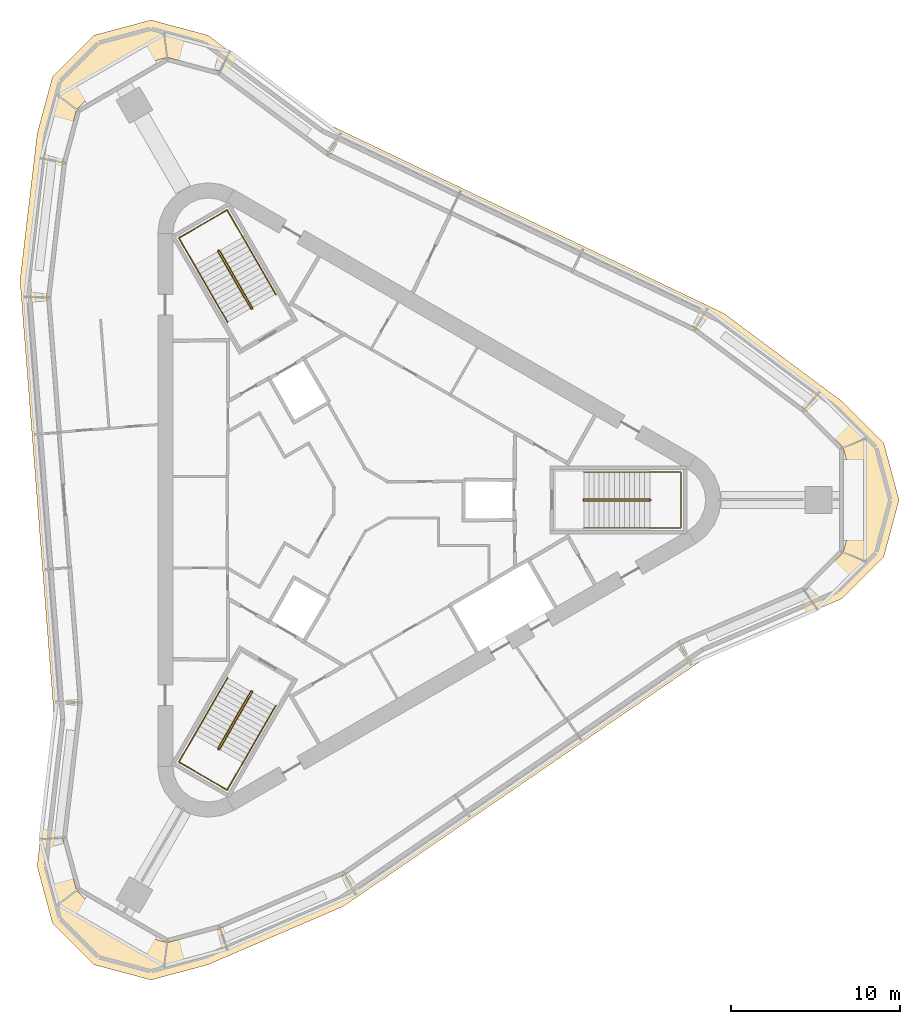
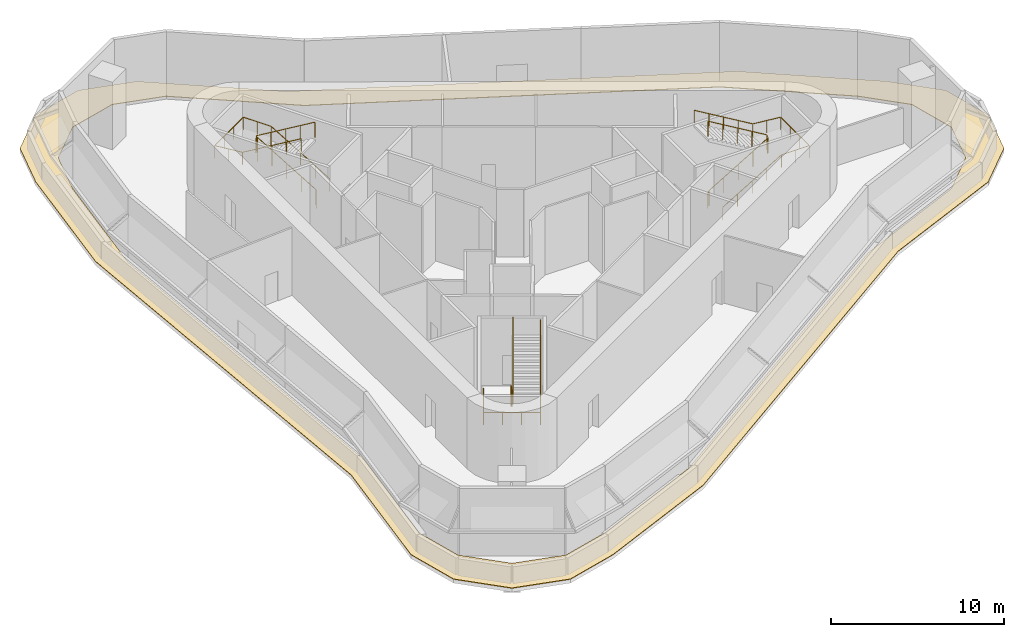
# One storey, part 8 of 8: 6 railings, 1 covering.
"""IFC4 building model written with IfcOpenShell, lengths in metres."""

from ifc_helpers import new_model, si_unit, direction, frame, origin, origin_2d, place, context, subcontext, project, spatial, polyline, circle, outline, extrude, material, layer, layer_set, type_object, element, save


model = new_model("IFC4")

# Units and contexts
model_context = context("Model", 3, precision=1e-05, world=origin(), true_north=direction((0.0, 1.0)))
body_context = subcontext(model_context, "Body", "Model", "MODEL_VIEW")
ifc_project = project(units=[si_unit("LENGTHUNIT", "METRE"), si_unit("AREAUNIT", "SQUARE_METRE"), si_unit("VOLUMEUNIT", "CUBIC_METRE"), si_unit("PLANEANGLEUNIT", "RADIAN"), si_unit("MASSUNIT", "GRAM", prefix="KILO")], contexts=[model_context])

# Site, building, storey
site_placement = place(None, origin())
site = spatial("IfcSite", under=ifc_project, at=site_placement, CompositionType="ELEMENT")
building_placement = place(site_placement, origin())
building = spatial("IfcBuilding", under=site, at=building_placement, Name="Tanit Gate Tower", CompositionType="ELEMENT")
storey_placement = place(building_placement, frame((0.0, 0.0, 415.300048828125)))
storey = spatial("IfcBuildingStorey", under=building, at=storey_placement, Name="L94", CompositionType="ELEMENT", Elevation=415.300048828125)

# Railings
ifc_material_1 = material(Name="Stainless steel balustrade", Category="steel")
railing_type_1 = type_object("IfcRailingType", Name="INT-STAIR-GUARD", PredefinedType="GUARDRAIL", material=ifc_material_1)
railing_1_placement = place(storey_placement, frame((13.044921875, 0.0048828125, 0.0)))
element("IfcRailing", 1, at=railing_1_placement, inside=storey, type_object=railing_type_1, Name="L94 S1 stair guard 1", PredefinedType="GUARDRAIL", context=body_context, shape_type="SweptSolid", body=[
    extrude(circle(Radius=0.02392578125, at=origin_2d()), frame((0.0, 0.0, 1.076171875), z_axis=(0.0, -1.0, 0.0), x_axis=(1.0, 0.0, 0.0)), (0.0, 0.0, 1.0), 0.009765625),
    extrude(circle(Radius=0.02392578125, at=origin_2d()), frame((0.0, -0.009765625, 1.076171875), z_axis=(0.260684529273, -0.260684529273, 0.929562882432), x_axis=(0.707106781187, 0.707106781187, 0.0)), (0.0, 0.0, 1.0), 0.19189453125),
    extrude(circle(Radius=0.02392578125, at=origin_2d()), frame((0.050048828125, -0.059814453125, 1.25439453125), z_axis=(0.859291195736, 0.0, 0.511486696729), x_axis=(0.0, 1.0, 0.0)), (0.0, 0.0, 1.0), 4.538818359375),
    extrude(circle(Radius=0.02392578125, at=origin_2d()), frame((3.9501953125, -0.059814453125, 3.576171875), z_axis=(0.705375805398, 0.708833529934, 0.0), x_axis=(-0.708833529934, 0.705375805398, 0.0)), (0.0, 0.0, 1.0), 0.070556640625),
    extrude(circle(Radius=0.02392578125, at=origin_2d()), frame((4.0, -0.009765625, 3.576171875), z_axis=(0.0, 1.0, 0.0), x_axis=(-1.0, 0.0, 0.0)), (0.0, 0.0, 1.0), 0.009765625),
    extrude(circle(Radius=0.02392578125, at=origin_2d()), frame((4.0, 0.0, 3.576171875), z_axis=(-0.25949872427, 0.26077077684, 0.929870428634), x_axis=(-0.708833529934, -0.705375805398, 0.0)), (0.0, 0.0, 1.0), 0.19189453125),
    extrude(circle(Radius=0.02392578125, at=origin_2d()), frame((3.9501953125, 0.050048828125, 3.75439453125), z_axis=(-0.859291195736, 0.0, 0.511486696729), x_axis=(0.0, -1.0, 0.0)), (0.0, 0.0, 1.0), 4.538818359375),
    extrude(circle(Radius=0.02099609375, at=origin_2d()), origin(), (0.0, 0.0, 1.0), 1.052001953125),
    extrude(circle(Radius=0.02099609375, at=origin_2d()), frame((0.0, -0.009765625, 0.0)), (0.0, 0.0, 1.0), 1.052001953125),
    extrude(circle(Radius=0.02099609375, at=origin_2d()), frame((0.050048828125, -0.059814453125, 0.178466796875)), (0.0, 0.0, 1.0), 1.052001953125),
    extrude(circle(Radius=0.02099609375, at=origin_2d()), frame((1.025146484375, -0.059814453125, 0.7587890625)), (0.0, 0.0, 1.0), 1.052001953125),
    extrude(circle(Radius=0.02099609375, at=origin_2d()), frame((2.0, -0.059814453125, 1.33935546875)), (0.0, 0.0, 1.0), 1.052001953125),
    extrude(circle(Radius=0.02099609375, at=origin_2d()), frame((2.97509765625, -0.059814453125, 1.919677734375)), (0.0, 0.0, 1.0), 1.052001953125),
    extrude(circle(Radius=0.02099609375, at=origin_2d()), frame((3.9501953125, -0.059814453125, 2.5)), (0.0, 0.0, 1.0), 1.052001953125),
    extrude(circle(Radius=0.02099609375, at=origin_2d()), frame((4.0, -0.009765625, 2.5)), (0.0, 0.0, 1.0), 1.052001953125),
    extrude(circle(Radius=0.02099609375, at=origin_2d()), frame((4.0, 0.0, 2.5)), (0.0, 0.0, 1.0), 1.052001953125),
    extrude(circle(Radius=0.02099609375, at=origin_2d()), frame((3.9501953125, 0.050048828125, 2.678466796875)), (0.0, 0.0, 1.0), 1.052001953125),
    extrude(circle(Radius=0.02099609375, at=origin_2d()), frame((2.97509765625, 0.050048828125, 3.2587890625)), (0.0, 0.0, 1.0), 1.052001953125),
    extrude(circle(Radius=0.02099609375, at=origin_2d()), frame((2.0, 0.050048828125, 3.83935546875)), (0.0, 0.0, 1.0), 1.052001953125),
    extrude(circle(Radius=0.02099609375, at=origin_2d()), frame((1.025146484375, 0.050048828125, 4.419677734375)), (0.0, 0.0, 1.0), 1.052001953125),
    extrude(circle(Radius=0.02099609375, at=origin_2d()), frame((0.050048828125, 0.050048828125, 5.0)), (0.0, 0.0, 1.0), 1.052001953125),
])
railing_2_placement = place(storey_placement, frame((-6.527099609375, 11.29345703125, 0.0)))
element("IfcRailing", 2, at=railing_2_placement, inside=storey, type_object=railing_type_1, Name="L94 S2 stair guard 1", PredefinedType="GUARDRAIL", context=body_context, shape_type="SweptSolid", body=[
    extrude(circle(Radius=0.02392578125, at=origin_2d()), frame((0.0, 0.0, 1.076171875), z_axis=(0.868243142124, 0.496138938357, 0.0), x_axis=(-0.496138938357, 0.868243142124, 0.0)), (0.0, 0.0, 1.0), 0.01171875),
    extrude(circle(Radius=0.02392578125, at=origin_2d()), frame((0.01025390625, 0.005859375, 1.076171875), z_axis=(0.095374316588, 0.356064115262, 0.929581672344), x_axis=(-0.965948051503, 0.258736085224, 0.0)), (0.0, 0.0, 1.0), 0.19189453125),
    extrude(circle(Radius=0.02392578125, at=origin_2d()), frame((0.028564453125, 0.07421875, 1.25439453125), z_axis=(-0.429636665928, 0.744158462057, 0.511508082673), x_axis=(-0.866027128446, -0.499997012787, 0.0)), (0.0, 0.0, 1.0), 4.53857421875),
    extrude(circle(Radius=0.02392578125, at=origin_2d()), frame((-1.92138671875, 3.45166015625, 3.576171875), z_axis=(-0.965948051503, 0.258736085224, 0.0), x_axis=(-0.258736085224, -0.965948051503, 0.0)), (0.0, 0.0, 1.0), 0.07080078125),
    extrude(circle(Radius=0.02392578125, at=origin_2d()), frame((-1.98974609375, 3.469970703125, 3.576171875), z_axis=(-0.868243142124, -0.496138938357, 0.0), x_axis=(0.496138938357, -0.868243142124, 0.0)), (0.0, 0.0, 1.0), 0.01171875),
    extrude(circle(Radius=0.02392578125, at=origin_2d()), frame((-2.0, 3.464111328125, 3.576171875), z_axis=(-0.095374316588, -0.356064115262, 0.929581672344), x_axis=(0.965948051503, -0.258736085224, 0.0)), (0.0, 0.0, 1.0), 0.19189453125),
    extrude(circle(Radius=0.02392578125, at=origin_2d()), frame((-2.018310546875, 3.395751953125, 3.75439453125), z_axis=(0.429636665928, -0.744158462057, 0.511508082673), x_axis=(0.866027128446, 0.499997012787, 0.0)), (0.0, 0.0, 1.0), 4.53857421875),
    extrude(circle(Radius=0.02099609375, at=origin_2d()), origin(), (0.0, 0.0, 1.0), 1.052001953125),
    extrude(circle(Radius=0.02099609375, at=origin_2d()), frame((0.01025390625, 0.005859375, 0.0)), (0.0, 0.0, 1.0), 1.052001953125),
    extrude(circle(Radius=0.02099609375, at=origin_2d()), frame((0.028564453125, 0.07421875, 0.178466796875)), (0.0, 0.0, 1.0), 1.052001953125),
    extrude(circle(Radius=0.02099609375, at=origin_2d()), frame((-0.458984375, 0.91845703125, 0.7587890625)), (0.0, 0.0, 1.0), 1.052001953125),
    extrude(circle(Radius=0.02099609375, at=origin_2d()), frame((-0.9462890625, 1.762939453125, 1.33935546875)), (0.0, 0.0, 1.0), 1.052001953125),
    extrude(circle(Radius=0.02099609375, at=origin_2d()), frame((-1.433837890625, 2.607421875, 1.919677734375)), (0.0, 0.0, 1.0), 1.052001953125),
    extrude(circle(Radius=0.02099609375, at=origin_2d()), frame((-1.92138671875, 3.45166015625, 2.5)), (0.0, 0.0, 1.0), 1.052001953125),
    extrude(circle(Radius=0.02099609375, at=origin_2d()), frame((-1.98974609375, 3.469970703125, 2.5)), (0.0, 0.0, 1.0), 1.052001953125),
    extrude(circle(Radius=0.02099609375, at=origin_2d()), frame((-2.0, 3.464111328125, 2.5)), (0.0, 0.0, 1.0), 1.052001953125),
    extrude(circle(Radius=0.02099609375, at=origin_2d()), frame((-2.018310546875, 3.395751953125, 2.678466796875)), (0.0, 0.0, 1.0), 1.052001953125),
    extrude(circle(Radius=0.02099609375, at=origin_2d()), frame((-1.53076171875, 2.55126953125, 3.2587890625)), (0.0, 0.0, 1.0), 1.052001953125),
    extrude(circle(Radius=0.02099609375, at=origin_2d()), frame((-1.04345703125, 1.70703125, 3.83935546875)), (0.0, 0.0, 1.0), 1.052001953125),
    extrude(circle(Radius=0.02099609375, at=origin_2d()), frame((-0.555908203125, 0.86279296875, 4.419677734375)), (0.0, 0.0, 1.0), 1.052001953125),
    extrude(circle(Radius=0.02099609375, at=origin_2d()), frame((-0.068359375, 0.018310546875, 5.0)), (0.0, 0.0, 1.0), 1.052001953125),
])
railing_3_placement = place(storey_placement, frame((-6.51806640625, -11.2998046875, 0.0)))
element("IfcRailing", 3, at=railing_3_placement, inside=storey, type_object=railing_type_1, Name="L94 S3 stair guard 1", PredefinedType="GUARDRAIL", context=body_context, shape_type="SweptSolid", body=[
    extrude(circle(Radius=0.02392578125, at=origin_2d()), frame((0.0, 0.0, 1.076171875), z_axis=(-0.874157276122, 0.485642931179, 0.0), x_axis=(-0.485642931179, -0.874157276122, 0.0)), (0.0, 0.0, 1.0), 0.010009765625),
    extrude(circle(Radius=0.02392578125, at=origin_2d()), frame((-0.0087890625, 0.0048828125, 1.076171875), z_axis=(-0.356107019809, -0.094113998092, 0.929693683858), x_axis=(0.255512919477, -0.966805641264, 0.0)), (0.0, 0.0, 1.0), 0.19189453125),
    extrude(circle(Radius=0.02392578125, at=origin_2d()), frame((-0.0771484375, -0.01318359375, 1.25439453125), z_axis=(-0.429619468083, -0.74418246412, 0.511487607612), x_axis=(0.866042777325, -0.499969906938, 0.0)), (0.0, 0.0, 1.0), 4.538818359375),
    extrude(circle(Radius=0.02392578125, at=origin_2d()), frame((-2.027099609375, -3.390869140625, 3.576171875), z_axis=(0.259601060869, -0.965715946433, 0.0), x_axis=(0.965715946433, 0.259601060869, 0.0)), (0.0, 0.0, 1.0), 0.070556640625),
    extrude(circle(Radius=0.02392578125, at=origin_2d()), frame((-2.0087890625, -3.458984375, 3.576171875), z_axis=(0.863778900898, -0.503871025524, 0.0), x_axis=(0.503871025524, 0.863778900898, 0.0)), (0.0, 0.0, 1.0), 0.01025390625),
    extrude(circle(Radius=0.02392578125, at=origin_2d()), frame((-2.0, -3.464111328125, 3.576171875), z_axis=(0.354952926692, 0.095417453412, 0.930002112587), x_axis=(-0.259601060869, 0.965715946433, 0.0)), (0.0, 0.0, 1.0), 0.19189453125),
    extrude(circle(Radius=0.02392578125, at=origin_2d()), frame((-1.931884765625, -3.44580078125, 3.75439453125), z_axis=(0.429680527064, 0.74414126332, 0.511496260873), x_axis=(-0.866000020948, 0.500043961785, 0.0)), (0.0, 0.0, 1.0), 4.538818359375),
    extrude(circle(Radius=0.02099609375, at=origin_2d()), origin(), (0.0, 0.0, 1.0), 1.052001953125),
    extrude(circle(Radius=0.02099609375, at=origin_2d()), frame((-0.0087890625, 0.0048828125, 0.0)), (0.0, 0.0, 1.0), 1.052001953125),
    extrude(circle(Radius=0.02099609375, at=origin_2d()), frame((-0.0771484375, -0.01318359375, 0.178466796875)), (0.0, 0.0, 1.0), 1.052001953125),
    extrude(circle(Radius=0.02099609375, at=origin_2d()), frame((-0.564697265625, -0.857666015625, 0.7587890625)), (0.0, 0.0, 1.0), 1.052001953125),
    extrude(circle(Radius=0.02099609375, at=origin_2d()), frame((-1.05224609375, -1.7021484375, 1.33935546875)), (0.0, 0.0, 1.0), 1.052001953125),
    extrude(circle(Radius=0.02099609375, at=origin_2d()), frame((-1.53955078125, -2.54638671875, 1.919677734375)), (0.0, 0.0, 1.0), 1.052001953125),
    extrude(circle(Radius=0.02099609375, at=origin_2d()), frame((-2.027099609375, -3.390869140625, 2.5)), (0.0, 0.0, 1.0), 1.052001953125),
    extrude(circle(Radius=0.02099609375, at=origin_2d()), frame((-2.0087890625, -3.458984375, 2.5)), (0.0, 0.0, 1.0), 1.052001953125),
    extrude(circle(Radius=0.02099609375, at=origin_2d()), frame((-2.0, -3.464111328125, 2.5)), (0.0, 0.0, 1.0), 1.052001953125),
    extrude(circle(Radius=0.02099609375, at=origin_2d()), frame((-1.931884765625, -3.44580078125, 2.678466796875)), (0.0, 0.0, 1.0), 1.052001953125),
    extrude(circle(Radius=0.02099609375, at=origin_2d()), frame((-1.4443359375, -2.6015625, 3.2587890625)), (0.0, 0.0, 1.0), 1.052001953125),
    extrude(circle(Radius=0.02099609375, at=origin_2d()), frame((-0.956787109375, -1.757080078125, 3.83935546875)), (0.0, 0.0, 1.0), 1.052001953125),
    extrude(circle(Radius=0.02099609375, at=origin_2d()), frame((-0.46923828125, -0.91259765625, 4.419677734375)), (0.0, 0.0, 1.0), 1.052001953125),
    extrude(circle(Radius=0.02099609375, at=origin_2d()), frame((0.018310546875, -0.068359375, 5.0)), (0.0, 0.0, 1.0), 1.052001953125),
])
ifc_material_2 = material(Name="Stainless steel handrail", Category="steel")
railing_type_2 = type_object("IfcRailingType", Name="INT-STAIR-HANDRAIL", PredefinedType="HANDRAIL", material=ifc_material_2)
railing_4_placement = place(storey_placement, frame((13.094970703125, -1.64990234375, 0.178466796875)))
element("IfcRailing", 4, at=railing_4_placement, inside=storey, type_object=railing_type_2, Name="L94 S1 stair handrail 1", PredefinedType="HANDRAIL", context=body_context, shape_type="SweptSolid", body=[
    extrude(circle(Radius=0.02392578125, at=origin_2d()), frame((0.0, 0.0, 0.8759765625), z_axis=(0.859291195736, 0.0, 0.511486696729), x_axis=(0.0, 1.0, 0.0)), (0.0, 0.0, 1.0), 4.538818359375),
    extrude(circle(Radius=0.02392578125, at=origin_2d()), frame((3.900146484375, 0.0, 3.197265625), z_axis=(1.0, 0.0, 0.0), x_axis=(0.0, 1.0, 0.0)), (0.0, 0.0, 1.0), 1.85498046875),
    extrude(circle(Radius=0.02392578125, at=origin_2d()), frame((5.755126953125, 0.0, 3.197265625), z_axis=(0.0, 1.0, 0.0), x_axis=(-1.0, 0.0, 0.0)), (0.0, 0.0, 1.0), 3.2998046875),
    extrude(circle(Radius=0.02392578125, at=origin_2d()), frame((5.755126953125, 3.2998046875, 3.197265625), z_axis=(-0.995403746914, 0.0, 0.09576732548), x_axis=(0.0, -1.0, 0.0)), (0.0, 0.0, 1.0), 1.863525390625),
    extrude(circle(Radius=0.02392578125, at=origin_2d()), frame((3.900146484375, 3.2998046875, 3.3759765625), z_axis=(-0.859291195736, 0.0, 0.511486696729), x_axis=(0.0, -1.0, 0.0)), (0.0, 0.0, 1.0), 4.538818359375),
    extrude(circle(Radius=0.02099609375, at=origin_2d()), origin(), (0.0, 0.0, 1.0), 0.851806640625),
    extrude(circle(Radius=0.02099609375, at=origin_2d()), frame((0.97509765625, 0.0, 0.580322265625)), (0.0, 0.0, 1.0), 0.851806640625),
    extrude(circle(Radius=0.02099609375, at=origin_2d()), frame((1.9501953125, 0.0, 1.16064453125)), (0.0, 0.0, 1.0), 0.851806640625),
    extrude(circle(Radius=0.02099609375, at=origin_2d()), frame((2.925048828125, 0.0, 1.7412109375)), (0.0, 0.0, 1.0), 0.851806640625),
    extrude(circle(Radius=0.02099609375, at=origin_2d()), frame((3.900146484375, 0.0, 2.321533203125)), (0.0, 0.0, 1.0), 0.851806640625),
    extrude(circle(Radius=0.02099609375, at=origin_2d()), frame((4.82763671875, 0.0, 2.321533203125)), (0.0, 0.0, 1.0), 0.851806640625),
    extrude(circle(Radius=0.02099609375, at=origin_2d()), frame((5.755126953125, 0.0, 2.321533203125)), (0.0, 0.0, 1.0), 0.851806640625),
    extrude(circle(Radius=0.02099609375, at=origin_2d()), frame((5.755126953125, 1.099853515625, 2.321533203125)), (0.0, 0.0, 1.0), 0.851806640625),
    extrude(circle(Radius=0.02099609375, at=origin_2d()), frame((5.755126953125, 2.199951171875, 2.321533203125)), (0.0, 0.0, 1.0), 0.851806640625),
    extrude(circle(Radius=0.02099609375, at=origin_2d()), frame((5.755126953125, 3.2998046875, 2.321533203125)), (0.0, 0.0, 1.0), 0.851806640625),
    extrude(circle(Radius=0.02099609375, at=origin_2d()), frame((4.82763671875, 3.2998046875, 2.41064453125)), (0.0, 0.0, 1.0), 0.851806640625),
    extrude(circle(Radius=0.02099609375, at=origin_2d()), frame((3.900146484375, 3.2998046875, 2.5)), (0.0, 0.0, 1.0), 0.851806640625),
    extrude(circle(Radius=0.02099609375, at=origin_2d()), frame((2.925048828125, 3.2998046875, 3.080322265625)), (0.0, 0.0, 1.0), 0.851806640625),
    extrude(circle(Radius=0.02099609375, at=origin_2d()), frame((1.9501953125, 3.2998046875, 3.66064453125)), (0.0, 0.0, 1.0), 0.851806640625),
    extrude(circle(Radius=0.02099609375, at=origin_2d()), frame((0.97509765625, 3.2998046875, 4.2412109375)), (0.0, 0.0, 1.0), 0.851806640625),
    extrude(circle(Radius=0.02099609375, at=origin_2d()), frame((0.0, 3.2998046875, 4.821533203125)), (0.0, 0.0, 1.0), 0.851806640625),
])
railing_5_placement = place(storey_placement, frame((-5.1181640625, 12.164794921875, 0.178466796875)))
element("IfcRailing", 5, at=railing_5_placement, inside=storey, type_object=railing_type_2, Name="L94 S2 stair handrail 1", PredefinedType="HANDRAIL", context=body_context, shape_type="SweptSolid", body=[
    extrude(circle(Radius=0.02392578125, at=origin_2d()), frame((0.0, 0.0, 0.8759765625), z_axis=(-0.429636665928, 0.744158462057, 0.511508082673), x_axis=(-0.866027128446, -0.499997012787, 0.0)), (0.0, 0.0, 1.0), 4.53857421875),
    extrude(circle(Radius=0.02392578125, at=origin_2d()), frame((-1.949951171875, 3.37744140625, 3.197265625), z_axis=(-0.499972951856, 0.866041019474, 0.0), x_axis=(-0.866041019474, -0.499972951856, 0.0)), (0.0, 0.0, 1.0), 1.85595703125),
    extrude(circle(Radius=0.02392578125, at=origin_2d()), frame((-2.8779296875, 4.98486328125, 3.197265625), z_axis=(-0.866008176907, -0.50002983664, 0.0), x_axis=(0.50002983664, -0.866008176907, 0.0)), (0.0, 0.0, 1.0), 3.300048828125),
    extrude(circle(Radius=0.02392578125, at=origin_2d()), frame((-5.73583984375, 3.334716796875, 3.197265625), z_axis=(0.497733776972, -0.862031426942, 0.095723070499), x_axis=(0.866008133109, 0.500029912494, 0.0)), (0.0, 0.0, 1.0), 1.864501953125),
    extrude(circle(Radius=0.02392578125, at=origin_2d()), frame((-4.807861328125, 1.7275390625, 3.3759765625), z_axis=(0.429663328258, -0.744165266205, 0.511475787231), x_axis=(0.866015672276, 0.500016855088, 0.0)), (0.0, 0.0, 1.0), 4.538818359375),
    extrude(circle(Radius=0.02099609375, at=origin_2d()), origin(), (0.0, 0.0, 1.0), 0.851806640625),
    extrude(circle(Radius=0.02099609375, at=origin_2d()), frame((-0.487548828125, 0.84423828125, 0.580322265625)), (0.0, 0.0, 1.0), 0.851806640625),
    extrude(circle(Radius=0.02099609375, at=origin_2d()), frame((-0.97509765625, 1.688720703125, 1.16064453125)), (0.0, 0.0, 1.0), 0.851806640625),
    extrude(circle(Radius=0.02099609375, at=origin_2d()), frame((-1.46240234375, 2.533203125, 1.7412109375)), (0.0, 0.0, 1.0), 0.851806640625),
    extrude(circle(Radius=0.02099609375, at=origin_2d()), frame((-1.949951171875, 3.37744140625, 2.321533203125)), (0.0, 0.0, 1.0), 0.851806640625),
    extrude(circle(Radius=0.02099609375, at=origin_2d()), frame((-2.4140625, 4.18115234375, 2.321533203125)), (0.0, 0.0, 1.0), 0.851806640625),
    extrude(circle(Radius=0.02099609375, at=origin_2d()), frame((-2.8779296875, 4.98486328125, 2.321533203125)), (0.0, 0.0, 1.0), 0.851806640625),
    extrude(circle(Radius=0.02099609375, at=origin_2d()), frame((-3.83056640625, 4.434814453125, 2.321533203125)), (0.0, 0.0, 1.0), 0.851806640625),
    extrude(circle(Radius=0.02099609375, at=origin_2d()), frame((-4.783203125, 3.884765625, 2.321533203125)), (0.0, 0.0, 1.0), 0.851806640625),
    extrude(circle(Radius=0.02099609375, at=origin_2d()), frame((-5.73583984375, 3.334716796875, 2.321533203125)), (0.0, 0.0, 1.0), 0.851806640625),
    extrude(circle(Radius=0.02099609375, at=origin_2d()), frame((-5.27197265625, 2.53125, 2.41064453125)), (0.0, 0.0, 1.0), 0.851806640625),
    extrude(circle(Radius=0.02099609375, at=origin_2d()), frame((-4.807861328125, 1.7275390625, 2.5)), (0.0, 0.0, 1.0), 0.851806640625),
    extrude(circle(Radius=0.02099609375, at=origin_2d()), frame((-4.3203125, 0.883056640625, 3.080322265625)), (0.0, 0.0, 1.0), 0.851806640625),
    extrude(circle(Radius=0.02099609375, at=origin_2d()), frame((-3.832763671875, 0.03857421875, 3.66064453125)), (0.0, 0.0, 1.0), 0.851806640625),
    extrude(circle(Radius=0.02099609375, at=origin_2d()), frame((-3.34521484375, -0.8056640625, 4.2412109375)), (0.0, 0.0, 1.0), 0.851806640625),
    extrude(circle(Radius=0.02099609375, at=origin_2d()), frame((-2.857666015625, -1.650146484375, 4.821533203125)), (0.0, 0.0, 1.0), 0.851806640625),
])
railing_6_placement = place(storey_placement, frame((-7.9765625, -10.515625, 0.178466796875)))
element("IfcRailing", 6, at=railing_6_placement, inside=storey, type_object=railing_type_2, Name="L94 S3 stair handrail 1", PredefinedType="HANDRAIL", context=body_context, shape_type="SweptSolid", body=[
    extrude(circle(Radius=0.02392578125, at=origin_2d()), frame((0.0, 0.0, 0.8759765625), z_axis=(-0.429636665928, -0.744158462057, 0.511508082673), x_axis=(0.866027128446, -0.499997012787, 0.0)), (0.0, 0.0, 1.0), 4.53857421875),
    extrude(circle(Radius=0.02392578125, at=origin_2d()), frame((-1.949951171875, -3.37744140625, 3.197265625), z_axis=(-0.500003477455, -0.866023396066, 0.0), x_axis=(0.866023396066, -0.500003477455, 0.0)), (0.0, 0.0, 1.0), 1.85498046875),
    extrude(circle(Radius=0.02392578125, at=origin_2d()), frame((-2.87744140625, -4.98388671875, 3.197265625), z_axis=(0.866008176907, -0.50002983664, 0.0), x_axis=(0.50002983664, 0.866008176907, 0.0)), (0.0, 0.0, 1.0), 3.300048828125),
    extrude(circle(Radius=0.02392578125, at=origin_2d()), frame((-0.01953125, -6.634033203125, 3.197265625), z_axis=(0.497705303182, 0.862042878372, 0.095767985424), x_axis=(-0.866023396066, 0.500003477455, 0.0)), (0.0, 0.0, 1.0), 1.863525390625),
    extrude(circle(Radius=0.02392578125, at=origin_2d()), frame((0.907958984375, -5.027587890625, 3.3759765625), z_axis=(0.429619468083, 0.74418246412, 0.511487607612), x_axis=(-0.866042777325, 0.499969906938, 0.0)), (0.0, 0.0, 1.0), 4.538818359375),
    extrude(circle(Radius=0.02099609375, at=origin_2d()), origin(), (0.0, 0.0, 1.0), 0.851806640625),
    extrude(circle(Radius=0.02099609375, at=origin_2d()), frame((-0.487548828125, -0.84423828125, 0.580322265625)), (0.0, 0.0, 1.0), 0.851806640625),
    extrude(circle(Radius=0.02099609375, at=origin_2d()), frame((-0.97509765625, -1.688720703125, 1.16064453125)), (0.0, 0.0, 1.0), 0.851806640625),
    extrude(circle(Radius=0.02099609375, at=origin_2d()), frame((-1.46240234375, -2.533203125, 1.7412109375)), (0.0, 0.0, 1.0), 0.851806640625),
    extrude(circle(Radius=0.02099609375, at=origin_2d()), frame((-1.949951171875, -3.37744140625, 2.321533203125)), (0.0, 0.0, 1.0), 0.851806640625),
    extrude(circle(Radius=0.02099609375, at=origin_2d()), frame((-2.41357421875, -4.1806640625, 2.321533203125)), (0.0, 0.0, 1.0), 0.851806640625),
    extrude(circle(Radius=0.02099609375, at=origin_2d()), frame((-2.87744140625, -4.98388671875, 2.321533203125)), (0.0, 0.0, 1.0), 0.851806640625),
    extrude(circle(Radius=0.02099609375, at=origin_2d()), frame((-1.9248046875, -5.533935546875, 2.321533203125)), (0.0, 0.0, 1.0), 0.851806640625),
    extrude(circle(Radius=0.02099609375, at=origin_2d()), frame((-0.97216796875, -6.083984375, 2.321533203125)), (0.0, 0.0, 1.0), 0.851806640625),
    extrude(circle(Radius=0.02099609375, at=origin_2d()), frame((-0.01953125, -6.634033203125, 2.321533203125)), (0.0, 0.0, 1.0), 0.851806640625),
    extrude(circle(Radius=0.02099609375, at=origin_2d()), frame((0.4443359375, -5.830810546875, 2.41064453125)), (0.0, 0.0, 1.0), 0.851806640625),
    extrude(circle(Radius=0.02099609375, at=origin_2d()), frame((0.907958984375, -5.027587890625, 2.5)), (0.0, 0.0, 1.0), 0.851806640625),
    extrude(circle(Radius=0.02099609375, at=origin_2d()), frame((1.3955078125, -4.18310546875, 3.080322265625)), (0.0, 0.0, 1.0), 0.851806640625),
    extrude(circle(Radius=0.02099609375, at=origin_2d()), frame((1.8828125, -3.3388671875, 3.66064453125)), (0.0, 0.0, 1.0), 0.851806640625),
    extrude(circle(Radius=0.02099609375, at=origin_2d()), frame((2.370361328125, -2.494384765625, 4.2412109375)), (0.0, 0.0, 1.0), 0.851806640625),
    extrude(circle(Radius=0.02099609375, at=origin_2d()), frame((2.85791015625, -1.64990234375, 4.821533203125)), (0.0, 0.0, 1.0), 0.851806640625),
])

# Covering
ifc_material_3 = material(Name="Stone paving", Category="masonry")
ifc_layer = layer(ifc_material_3, 0.0400390625)
ifc_layer_set = layer_set([ifc_layer], Name="Terrace deck paving 40")
covering_type = type_object("IfcCoveringType", Name="Terrace deck paving 40", PredefinedType="FLOORING", material=ifc_layer_set)
covering_placement = place(storey_placement, origin())
element("IfcCovering", 7, at=covering_placement, inside=storey, type_object=covering_type, Name="Terrace deck paving L94", PredefinedType="FLOORING", context=body_context, shape_type="SweptSolid", body=[
    extrude(outline(polyline([(30.834228515625, 3.365966796875), (31.736083984375, 0.0), (30.834228515625, -3.365966796875), (28.3701171875, -5.830078125), (20.361572265625, -9.2822265625), (-1.127685546875, -24.031982421875), (-9.13623046875, -27.484130859375), (-12.502197265625, -28.38623046875), (-15.867919921875, -27.484130859375), (-18.33203125, -25.020263671875), (-19.23388671875, -21.654296875), (-18.219482421875, -12.992431640625), (-20.248291015625, 12.992431640625), (-19.23388671875, 21.654296875), (-18.33203125, 25.020263671875), (-15.867919921875, 27.484130859375), (-12.502197265625, 28.38623046875), (-9.13623046875, 27.484130859375), (-2.14208984375, 22.27490234375), (21.3759765625, 11.039306640625), (28.3701171875, 5.830078125), (30.834228515625, 3.365966796875)]), holes=[polyline([(19.708984375, 10.178466796875), (-1.97509765625, 20.537841796875), (-8.423583984375, 25.3408203125), (-11.527099609375, 26.17236328125), (-14.630615234375, 25.3408203125), (-16.90234375, 23.06884765625), (-17.73388671875, 19.965576171875), (-18.669189453125, 11.979248046875), (-16.798583984375, -11.979248046875), (-17.73388671875, -19.965576171875), (-16.90234375, -23.06884765625), (-14.630615234375, -25.3408203125), (-11.527099609375, -26.17236328125), (-8.423583984375, -25.3408203125), (-1.039794921875, -22.15771484375), (18.773681640625, -8.558349609375), (26.15771484375, -5.375244140625), (28.429443359375, -3.103515625), (29.260986328125, 0.0), (28.429443359375, 3.103515625), (26.15771484375, 5.375244140625), (19.708984375, 10.178466796875)])]), origin(), (0.0, 0.0, 1.0), 0.0400390625),
])

save(model, "model.ifc")
